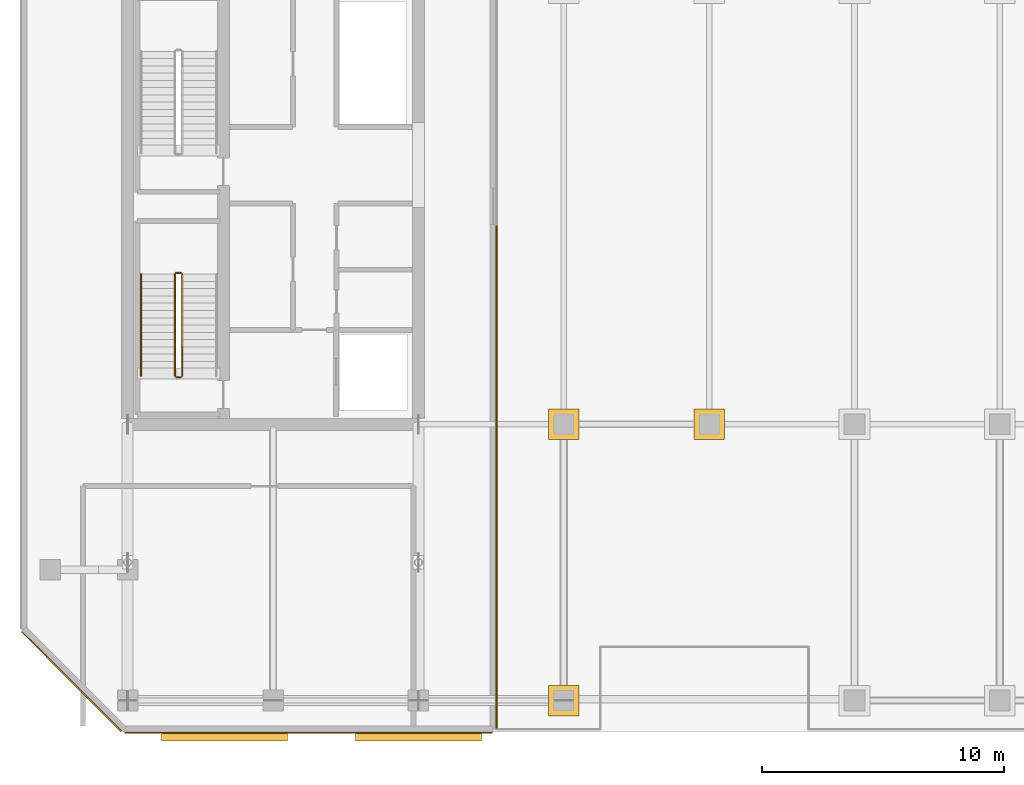
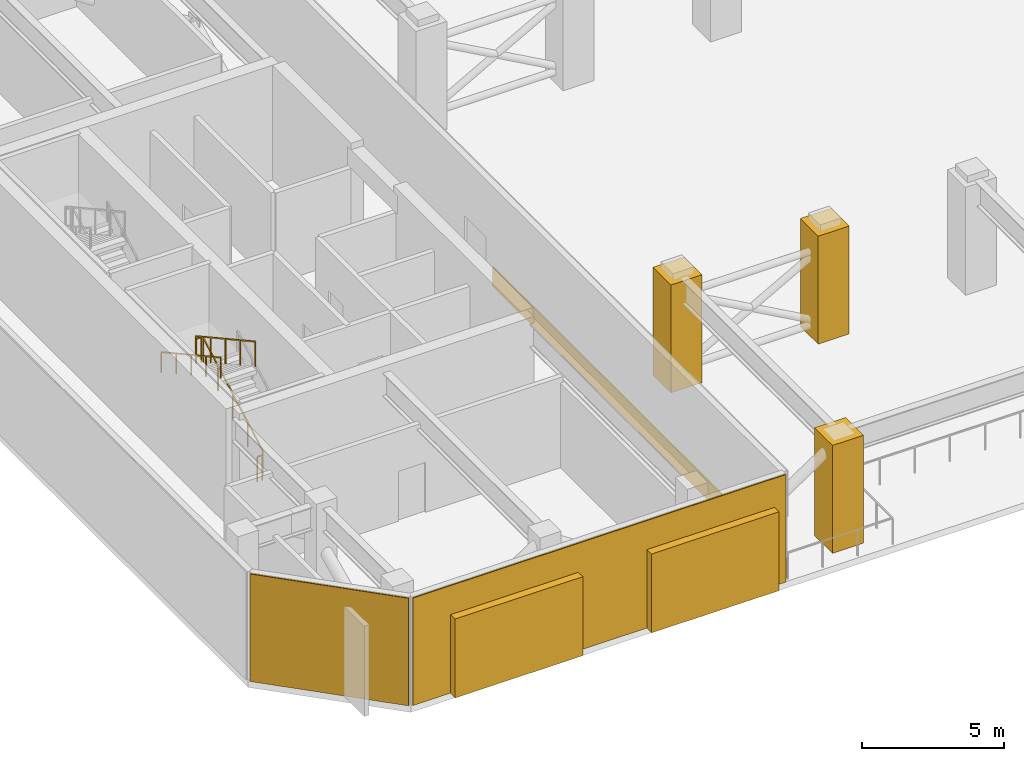
# One storey, part 14 of 18: 6 coverings, 5 railings, 2 shading devices.
"""IFC4 building model written with IfcOpenShell, lengths in metres."""

from ifc_helpers import new_model, si_unit, direction, frame, origin, origin_2d, place, context, subcontext, project, spatial, rectangle, extrude, material, layer, layer_set, type_object, element, save


model = new_model("IFC4")

# Units and contexts
model_context = context("Model", 3, precision=1e-05, world=origin(), true_north=direction((0.0, 1.0)))
body_context = subcontext(model_context, "Body", "Model", "MODEL_VIEW")
ifc_project = project(units=[si_unit("LENGTHUNIT", "METRE"), si_unit("AREAUNIT", "SQUARE_METRE"), si_unit("VOLUMEUNIT", "CUBIC_METRE"), si_unit("PLANEANGLEUNIT", "RADIAN"), si_unit("MASSUNIT", "GRAM", prefix="KILO")], contexts=[model_context])

# Site, building, storey
site_placement = place(None, origin())
site = spatial("IfcSite", under=ifc_project, at=site_placement, CompositionType="ELEMENT")
building_placement = place(site_placement, origin())
building = spatial("IfcBuilding", under=site, at=building_placement, Name="Tanjung Sevakor Pilgrim Tower", CompositionType="ELEMENT")
storey_placement = place(building_placement, frame((0.0, 0.0, 172.919921875)))
storey = spatial("IfcBuildingStorey", under=building, at=storey_placement, Name="L48", CompositionType="ELEMENT", Elevation=172.919921875)

# Coverings
ifc_material_1 = material(Name="Reconstructed Limestone Cladding", Category="masonry")
ifc_layer = layer(ifc_material_1, 0.044921875)
ifc_layer_set = layer_set([ifc_layer], Name="COV-CLAD-LIMESTONE")
covering_type = type_object("IfcCoveringType", Name="COV-CLAD-LIMESTONE", PredefinedType="CLADDING", material=ifc_layer_set)
covering_1_placement = place(storey_placement, frame((31.46337890625, 11.87744140625, 0.02001953125), z_axis=(0.0, 0.0, 1.0), x_axis=(1.0, 0.0, 0.0)))
element("IfcCovering", 1, at=covering_1_placement, inside=storey, type_object=covering_type, Name="L48 Warm Limestone Wall Cladding EW-RFW-L48-1", PredefinedType="CLADDING", context=body_context, shape_type="SweptSolid", body=[
    extrude(rectangle(XDim=15.18310546875, YDim=0.044921875, at=origin_2d()), origin(), (0.0, 0.0, 1.0), 4.6298828125),
])
covering_2_placement = place(storey_placement, frame((39.222412109375, 22.427490234375, 0.01025390625), z_axis=(0.0, 0.0, 1.0), x_axis=(0.0, 1.0, 0.0)))
element("IfcCovering", 2, at=covering_2_placement, inside=storey, type_object=covering_type, Name="L48 Warm Limestone Sill Spandrel EW-RFW-L48-2-1", PredefinedType="CLADDING", context=body_context, shape_type="SweptSolid", body=[
    extrude(rectangle(XDim=20.72509765625, YDim=0.044921875, at=origin_2d()), origin(), (0.0, 0.0, 1.0), 0.840087890625),
])
covering_3_placement = place(storey_placement, frame((21.68408203125, 13.984130859375, 0.02001953125), z_axis=(0.0, 0.0, 1.0), x_axis=(0.707106781187, -0.707106781187, 0.0)))
element("IfcCovering", 3, at=covering_3_placement, inside=storey, type_object=covering_type, Name="L48 Warm Limestone Wall Cladding EW-RFW-L48-6", PredefinedType="CLADDING", context=body_context, shape_type="SweptSolid", body=[
    extrude(rectangle(XDim=5.796142578125, YDim=0.044921875, at=origin_2d()), origin(), (0.0, 0.0, 1.0), 4.6298828125),
])
for number, where, z_axis, x_axis, name in (
    (4, (42.0, 24.60009765625, 0.010009765625), (0.0, 0.0, 1.0), (1.0, 0.0, 0.0), "L48 Portal Colonnade Limestone Casing 01"),
    (5, (48.0, 24.60009765625, 0.010009765625), (0.0, 0.0, 1.0), (1.0, 0.0, 0.0), "L48 Portal Colonnade Limestone Casing 03"),
    (6, (42.0, 13.199951171875, 0.010009765625), (0.0, 0.0, 1.0), (1.0, 0.0, 0.0), "L48 Portal Colonnade Limestone Casing 27"),
):
    element("IfcCovering", number, at=place(storey_placement, frame(where, z_axis=z_axis, x_axis=x_axis)), inside=storey, type_object=covering_type, Name=name, PredefinedType="CLADDING", context=body_context, shape_type="SweptSolid", body=[
        extrude(rectangle(XDim=1.260009765625, YDim=1.260009765625, at=origin_2d()), origin(), (0.0, 0.0, 1.0), 4.64990234375),
    ])

# Railings
ifc_material_2 = material(Name="Steel S355J2", Category="steel")
railing_type_1 = type_object("IfcRailingType", Name="RL-STAIR-GUARD", PredefinedType="GUARDRAIL", material=ifc_material_2)
railing_1_placement = place(storey_placement, frame((26.25, 26.60009765625, 0.1650390625)))
element("IfcRailing", 7, at=railing_1_placement, inside=storey, type_object=railing_type_1, Name="L48 TS-W1 stair guard 1", PredefinedType="GUARDRAIL", context=body_context, shape_type="SweptSolid", body=[
    extrude(rectangle(XDim=0.0479, YDim=0.0479), frame((0.0, 0.0, 1.076171875), z_axis=(0.0, 0.876208380975, 0.481932436249), x_axis=(-1.0, 0.0, 0.0)), (0.0, 0.0, 1.0), 4.793212890625),
    extrude(rectangle(XDim=0.042, YDim=0.042), origin(), (0.0, 0.0, 1.0), 1.052001953125),
    extrude(rectangle(XDim=0.042, YDim=0.042), frame((0.0, 1.050048828125, 0.57763671875)), (0.0, 0.0, 1.0), 1.052001953125),
    extrude(rectangle(XDim=0.042, YDim=0.042), frame((0.0, 2.10009765625, 1.155029296875)), (0.0, 0.0, 1.0), 1.052001953125),
    extrude(rectangle(XDim=0.042, YDim=0.042), frame((0.0, 3.14990234375, 1.732421875)), (0.0, 0.0, 1.0), 1.052001953125),
    extrude(rectangle(XDim=0.042, YDim=0.042), frame((0.0, 4.199951171875, 2.31005859375)), (0.0, 0.0, 1.0), 1.052001953125),
])
railing_2_placement = place(storey_placement, frame((26.199951171875, 30.85009765625, 2.47509765625)))
element("IfcRailing", 8, at=railing_2_placement, inside=storey, type_object=railing_type_1, Name="L48 TS-W1 stair guard 2", PredefinedType="GUARDRAIL", context=body_context, shape_type="SweptSolid", body=[
    extrude(rectangle(XDim=0.0479, YDim=0.0479), frame((0.0, 0.0, 1.076171875), z_axis=(-1.0, 0.0, 0.0), x_axis=(0.0, -1.0, 0.0)), (0.0, 0.0, 1.0), 0.199951171875),
    extrude(rectangle(XDim=0.042, YDim=0.042), origin(), (0.0, 0.0, 1.0), 1.052001953125),
    extrude(rectangle(XDim=0.042, YDim=0.042), frame((-0.199951171875, 0.0, 0.0)), (0.0, 0.0, 1.0), 1.052001953125),
])
railing_3_placement = place(storey_placement, frame((25.949951171875, 30.800048828125, 2.64013671875)))
element("IfcRailing", 9, at=railing_3_placement, inside=storey, type_object=railing_type_1, Name="L48 TS-W1 stair guard 3", PredefinedType="GUARDRAIL", context=body_context, shape_type="SweptSolid", body=[
    extrude(rectangle(XDim=0.0479, YDim=0.0479), frame((0.0, 0.0, 1.076171875), z_axis=(0.0, -0.876208380975, 0.481932436249), x_axis=(1.0, 0.0, 0.0)), (0.0, 0.0, 1.0), 4.793212890625),
    extrude(rectangle(XDim=0.042, YDim=0.042), origin(), (0.0, 0.0, 1.0), 1.052001953125),
    extrude(rectangle(XDim=0.042, YDim=0.042), frame((0.0, -1.050048828125, 0.57763671875)), (0.0, 0.0, 1.0), 1.052001953125),
    extrude(rectangle(XDim=0.042, YDim=0.042), frame((0.0, -2.10009765625, 1.155029296875)), (0.0, 0.0, 1.0), 1.052001953125),
    extrude(rectangle(XDim=0.042, YDim=0.042), frame((0.0, -3.14990234375, 1.732421875)), (0.0, 0.0, 1.0), 1.052001953125),
    extrude(rectangle(XDim=0.042, YDim=0.042), frame((0.0, -4.199951171875, 2.31005859375)), (0.0, 0.0, 1.0), 1.052001953125),
])
railing_4_placement = place(storey_placement, frame((26.199951171875, 26.550048828125, 0.0)))
element("IfcRailing", 10, at=railing_4_placement, inside=storey, type_object=railing_type_1, Name="L48 TS-W1 stair guard 4", PredefinedType="GUARDRAIL", context=body_context, shape_type="SweptSolid", body=[
    extrude(rectangle(XDim=0.0479, YDim=0.0479), frame((0.0, 0.0, 1.076171875), z_axis=(-1.0, 0.0, 0.0), x_axis=(0.0, -1.0, 0.0)), (0.0, 0.0, 1.0), 0.199951171875),
    extrude(rectangle(XDim=0.042, YDim=0.042), origin(), (0.0, 0.0, 1.0), 1.052001953125),
    extrude(rectangle(XDim=0.042, YDim=0.042), frame((-0.199951171875, 0.0, 0.0)), (0.0, 0.0, 1.0), 1.052001953125),
])
ifc_material_3 = material(Name="Steel S355J2", Category="steel")
railing_type_2 = type_object("IfcRailingType", Name="RL-STAIR-HAND", PredefinedType="HANDRAIL", material=ifc_material_3)
railing_5_placement = place(storey_placement, frame((24.550048828125, 30.800048828125, 2.64013671875)))
element("IfcRailing", 11, at=railing_5_placement, inside=storey, type_object=railing_type_2, Name="L48 TS-W1 stair handrail 2", PredefinedType="HANDRAIL", context=body_context, shape_type="SweptSolid", body=[
    extrude(rectangle(XDim=0.0479, YDim=0.0479), frame((0.0, 0.0, 0.8759765625), z_axis=(0.0, -0.876208380975, 0.481932436249), x_axis=(1.0, 0.0, 0.0)), (0.0, 0.0, 1.0), 4.793212890625),
    extrude(rectangle(XDim=0.042, YDim=0.042), origin(), (0.0, 0.0, 1.0), 0.851806640625),
    extrude(rectangle(XDim=0.042, YDim=0.042), frame((0.0, -1.050048828125, 0.57763671875)), (0.0, 0.0, 1.0), 0.851806640625),
    extrude(rectangle(XDim=0.042, YDim=0.042), frame((0.0, -2.10009765625, 1.155029296875)), (0.0, 0.0, 1.0), 0.851806640625),
    extrude(rectangle(XDim=0.042, YDim=0.042), frame((0.0, -3.14990234375, 1.732421875)), (0.0, 0.0, 1.0), 0.851806640625),
    extrude(rectangle(XDim=0.042, YDim=0.042), frame((0.0, -4.199951171875, 2.31005859375)), (0.0, 0.0, 1.0), 0.851806640625),
])

# Shading devices
ifc_material_4 = material(Name="Anodised Bronze Aluminium 6063-T6", Category="aluminium")
shading_device_type = type_object("IfcShadingDeviceType", Name="SHD-LOUVRE-SLOT", PredefinedType="USERDEFINED", material=ifc_material_4)
for number, where, z_axis, x_axis, name in (
    (12, (28.0, 11.719970703125, 0.000244140625), (0.0, 0.0, 1.0), (1.0, 0.0, 0.0), "L48 Plant Wing Acoustic Louvre S-01"),
    (13, (36.0, 11.719970703125, 0.000244140625), (0.0, 0.0, 1.0), (1.0, 0.0, 0.0), "L48 Plant Wing Acoustic Louvre S-02"),
):
    element("IfcShadingDevice", number, at=place(storey_placement, frame(where, z_axis=z_axis, x_axis=x_axis)), inside=storey, type_object=shading_device_type, Name=name, ObjectType="LOUVRE", PredefinedType="USERDEFINED", context=body_context, shape_type="SweptSolid", body=[
        extrude(rectangle(XDim=5.199951171875, YDim=0.360107421875, at=origin_2d()), origin(), (0.0, 0.0, 1.0), 3.39990234375),
    ])

save(model, "model.ifc")
